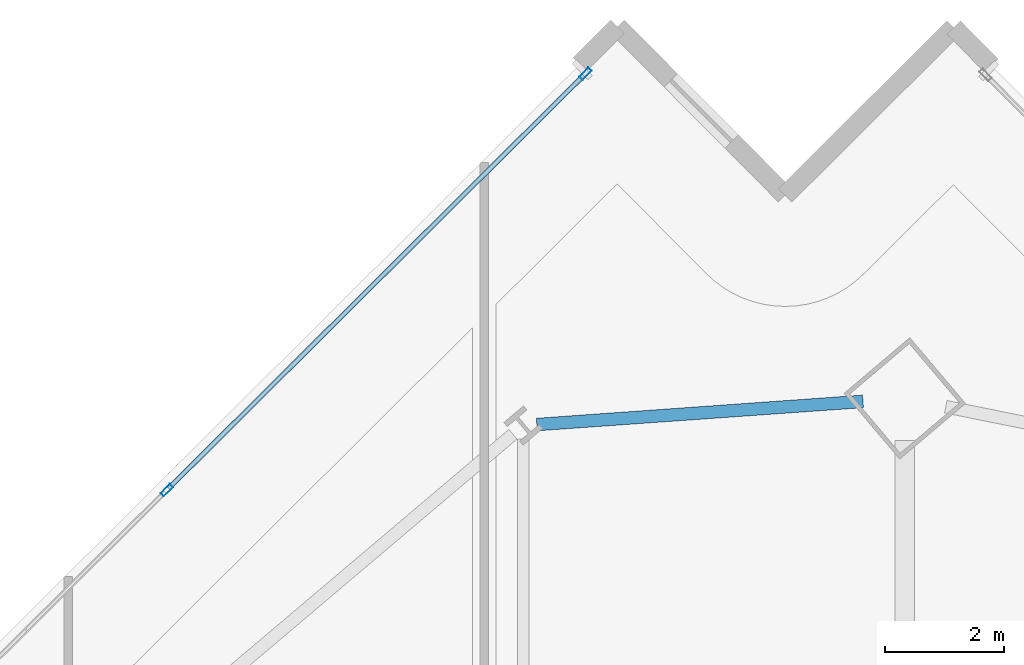
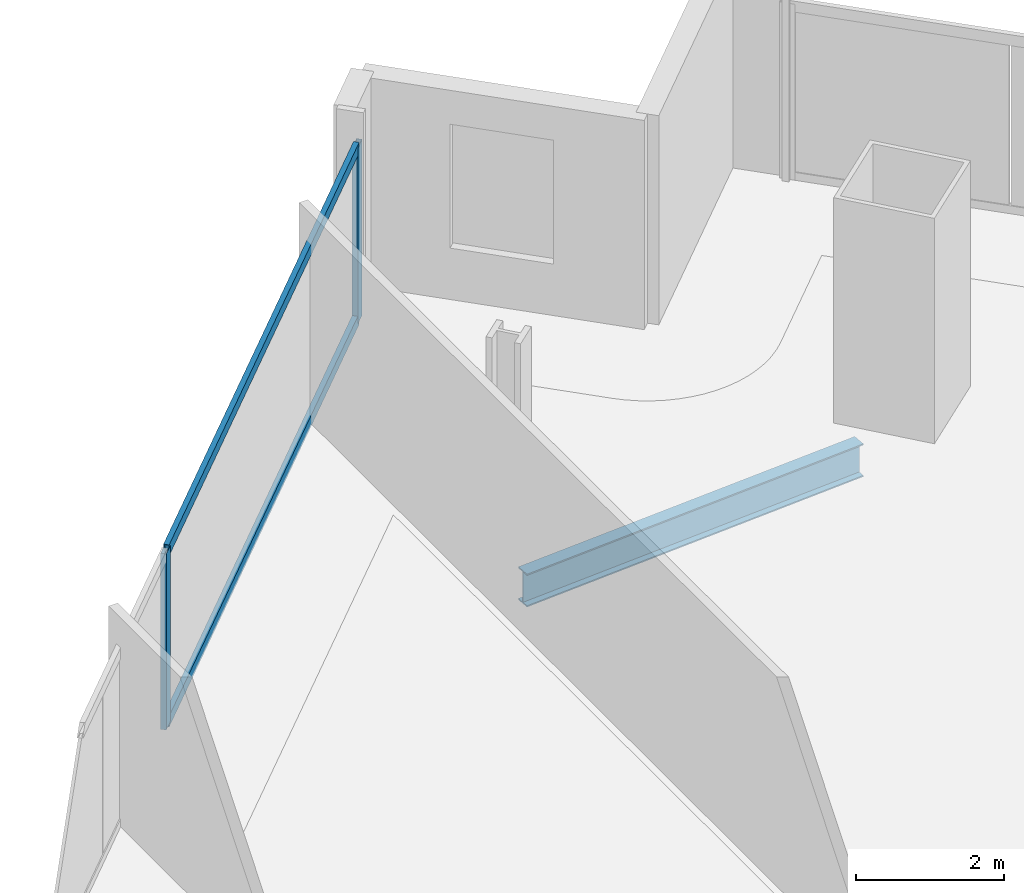
# One storey, part 17 of 32: 4 members, 1 beam, 1 element without a shape of its own.
"""IFC4 building model written with IfcOpenShell, lengths in metres."""

from ifc_helpers import new_model, si_unit, direction, frame, origin, origin_2d, place, context, subcontext, project, spatial, hollow_rectangle, i_section, extrude, material, material_profile, profile_set, type_object, element, aggregate, save


model = new_model("IFC4")

# Units and contexts
model_context = context("Model", 3, precision=1e-05, world=origin(), true_north=direction((0.0, 1.0)))
body_context = subcontext(model_context, "Body", "Model", "MODEL_VIEW")
ifc_project = project(units=[si_unit("LENGTHUNIT", "METRE"), si_unit("AREAUNIT", "SQUARE_METRE"), si_unit("VOLUMEUNIT", "CUBIC_METRE"), si_unit("PLANEANGLEUNIT", "RADIAN"), si_unit("MASSUNIT", "GRAM", prefix="KILO")], contexts=[model_context])

# Site, building, storey
site_placement = place(None, origin())
site = spatial("IfcSite", under=ifc_project, at=site_placement, CompositionType="ELEMENT")
building_placement = place(site_placement, origin())
building = spatial("IfcBuilding", under=site, at=building_placement, Name="Haldenkirk Collegiate Tower", CompositionType="ELEMENT")
storey_placement = place(building_placement, frame((0.0, 0.0, 178.199951171875)))
storey = spatial("IfcBuildingStorey", under=building, at=storey_placement, Name="L44", CompositionType="ELEMENT", Elevation=178.199951171875)

# Beam
ifc_material_1 = material(Name="Steel ASTM A992 Grade 50", Category="steel")
ifc_material_profile_1 = material_profile(ifc_material_1, i_section(OverallWidth=0.2119140625, OverallDepth=0.5439453125, WebThickness=0.01318359375, FlangeThickness=0.021240234375, at=origin_2d()), Name="W21X83")
ifc_profile_set_1 = profile_set([ifc_material_profile_1], Name="Steel ASTM A992 Grade 50")
beam_type = type_object("IfcBeamType", Name="BM-SPANDREL-W21X83", PredefinedType="SPANDREL", material=ifc_profile_set_1)
beam_placement = place(storey_placement, frame((38.373779296875, 51.025146484375, -0.56201171875), z_axis=(-0.997489017738, -0.070821320891, 0.0), x_axis=(0.070821320891, -0.997489017738, 0.0)))
element("IfcBeam", 1, at=beam_placement, inside=storey, type_object=beam_type, Name="L44 perimeter spandrel beam 09", PredefinedType="SPANDREL", context=body_context, shape_type="SweptSolid", body=[
    extrude(i_section(OverallWidth=0.2119140625, OverallDepth=0.5439453125, WebThickness=0.01318359375, FlangeThickness=0.021240234375, at=origin_2d()), origin(), (0.0, 0.0, 1.0), 5.501953125),
])

# Curtain wall, members
ifc_material_2 = material(Name="Anodised architectural bronze aluminium", Category="aluminium")
curtain_wall_type = type_object("IfcCurtainWallType", Name="CW-SYS1-CONVEX-LOW", PredefinedType="USERDEFINED", material=ifc_material_2)
curtain_wall_placement = place(storey_placement, origin())
curtain_wall = element("IfcCurtainWall", 2, at=curtain_wall_placement, inside=storey, type_object=curtain_wall_type, Name="L44 Lower tower convex bronze-framed unitised curtain wall", ObjectType="UNITISED CURTAIN WALL", PredefinedType="USERDEFINED")
ifc_material_profile_2 = material_profile(ifc_material_2, hollow_rectangle(XDim=0.080078125, YDim=0.219970703125, WallThickness=0.0048828125, at=origin_2d()), Name="CW-MUL-1A")
ifc_profile_set_2 = profile_set([ifc_material_profile_2], Name="Anodised architectural bronze aluminium")
member_type_1 = type_object("IfcMemberType", Name="CW-MUL-1A", PredefinedType="MULLION", material=ifc_profile_set_2)
member_1_placement = place(storey_placement, frame((26.660400390625, 49.5322265625, 0.0), z_axis=(0.0, 0.0, 1.0), x_axis=(-0.705254733822, 0.708953990342, 0.0)))
member_1 = element("IfcMember", 3, at=member_1_placement, type_object=member_type_1, Name="CW-1A mullion 4", PredefinedType="MULLION", context=body_context, shape_type="SweptSolid", body=[
    extrude(hollow_rectangle(XDim=0.080078125, YDim=0.219970703125, WallThickness=0.0048828125, at=origin_2d()), origin(), (0.0, 0.0, 1.0), 2.9111328125),
])
member_2_placement = place(storey_placement, frame((33.703857421875, 56.5390625, 0.0), z_axis=(0.0, 0.0, 1.0), x_axis=(-0.705254733822, 0.708953990342, 0.0)))
member_2 = element("IfcMember", 4, at=member_2_placement, type_object=member_type_1, Name="CW-1A mullion 5", PredefinedType="MULLION", context=body_context, shape_type="SweptSolid", body=[
    extrude(hollow_rectangle(XDim=0.080078125, YDim=0.219970703125, WallThickness=0.0048828125, at=origin_2d()), origin(), (0.0, 0.0, 1.0), 2.9111328125),
])
ifc_material_profile_3 = material_profile(ifc_material_2, hollow_rectangle(XDim=0.080078125, YDim=0.179931640625, WallThickness=0.0048828125, at=origin_2d()), Name="CW-TRN-1A")
ifc_profile_set_3 = profile_set([ifc_material_profile_3], Name="Anodised architectural bronze aluminium")
member_type_2 = type_object("IfcMemberType", Name="CW-TRN-1A", PredefinedType="USERDEFINED", material=ifc_profile_set_3)
member_3_placement = place(storey_placement, frame((26.68896484375, 49.560546875, 0.0400390625), z_axis=(0.708950015859, 0.705258729129, 0.0), x_axis=(-0.705258729129, 0.708950015859, 0.0)))
member_3 = element("IfcMember", 5, at=member_3_placement, type_object=member_type_2, Name="CW-1A transom 4.1", ObjectType="TRANSOM", PredefinedType="USERDEFINED", context=body_context, shape_type="SweptSolid", body=[
    extrude(hollow_rectangle(XDim=0.080078125, YDim=0.179931640625, WallThickness=0.0048828125, at=origin_2d()), origin(), (0.0, 0.0, 1.0), 9.854736328125),
])
member_4_placement = place(storey_placement, frame((26.68896484375, 49.560546875, 2.87109375), z_axis=(0.708950015859, 0.705258729129, 0.0), x_axis=(-0.705258729129, 0.708950015859, 0.0)))
member_4 = element("IfcMember", 6, at=member_4_placement, type_object=member_type_2, Name="CW-1A transom 4.2", ObjectType="TRANSOM", PredefinedType="USERDEFINED", context=body_context, shape_type="SweptSolid", body=[
    extrude(hollow_rectangle(XDim=0.080078125, YDim=0.179931640625, WallThickness=0.0048828125, at=origin_2d()), origin(), (0.0, 0.0, 1.0), 9.854736328125),
])
aggregate(curtain_wall, [member_1, member_2, member_3, member_4])

save(model, "model.ifc")
